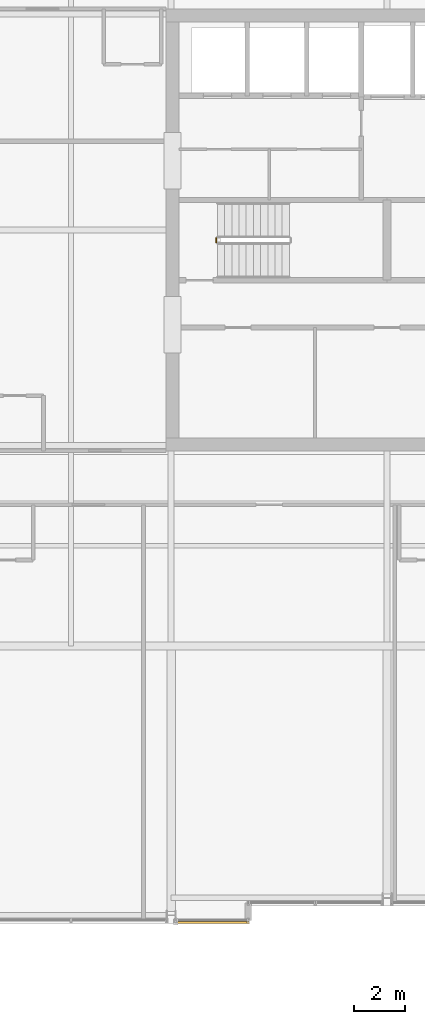
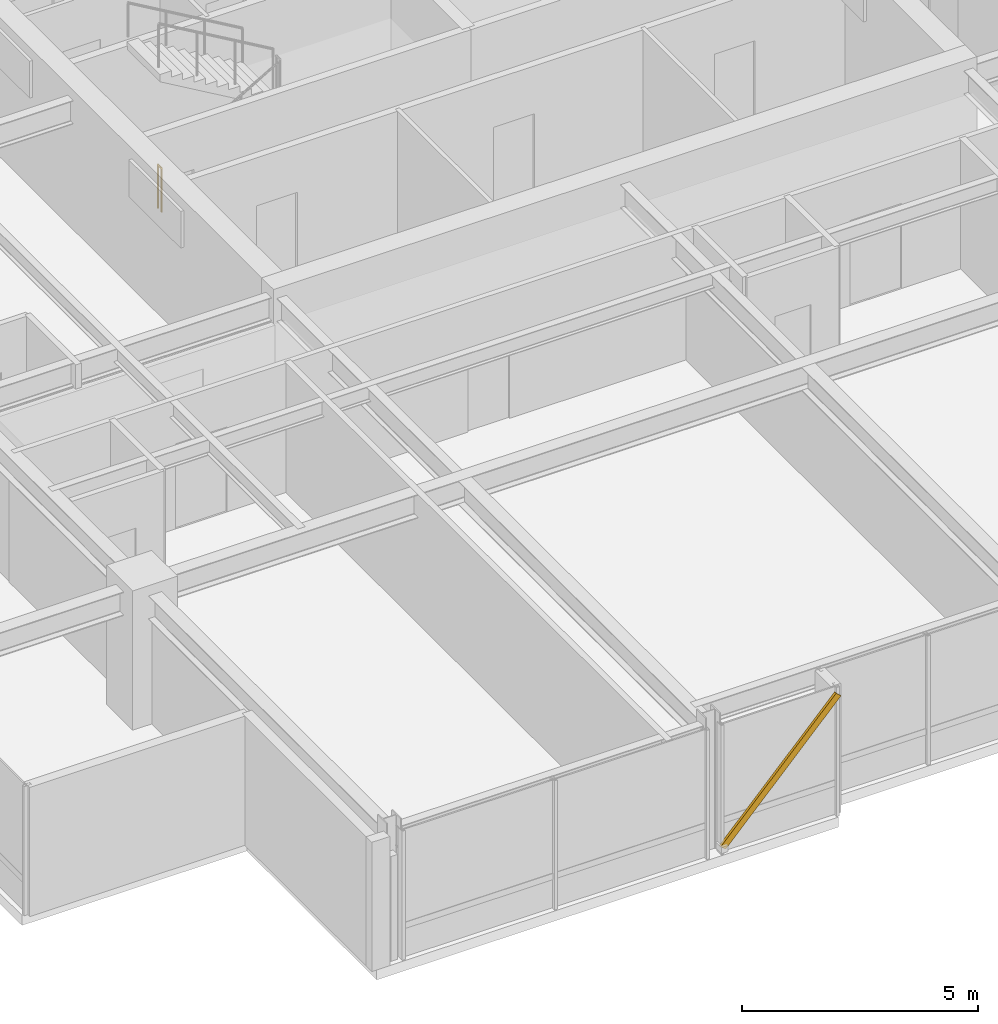
# One storey, part 30 of 32: 1 railing, 1 shading device.
"""IFC4 building model written with IfcOpenShell, lengths in metres."""

from ifc_helpers import new_model, si_unit, direction, frame, origin, origin_2d, place, context, subcontext, project, spatial, hollow_rectangle, circle, extrude, material, material_profile, profile_set, type_object, element, save


model = new_model("IFC4")

# Units and contexts
model_context = context("Model", 3, precision=1e-05, world=origin(), true_north=direction((0.0, 1.0)))
body_context = subcontext(model_context, "Body", "Model", "MODEL_VIEW")
ifc_project = project(units=[si_unit("LENGTHUNIT", "METRE"), si_unit("AREAUNIT", "SQUARE_METRE"), si_unit("VOLUMEUNIT", "CUBIC_METRE"), si_unit("PLANEANGLEUNIT", "RADIAN"), si_unit("MASSUNIT", "GRAM", prefix="KILO")], contexts=[model_context])

# Site, building, storey
site_placement = place(None, origin())
site = spatial("IfcSite", under=ifc_project, at=site_placement, CompositionType="ELEMENT")
building_placement = place(site_placement, origin())
building = spatial("IfcBuilding", under=site, at=building_placement, Name="Drelvath Grand Hotel", CompositionType="ELEMENT")
storey_placement = place(building_placement, frame((0.0, 0.0, 237.5)))
storey = spatial("IfcBuildingStorey", under=building, at=storey_placement, Name="L62", CompositionType="ELEMENT", Elevation=237.5)

# Railing
ifc_material_1 = material(Name="Painted Steel S275", Category="steel")
railing_type = type_object("IfcRailingType", Name="Core Stair Well Guardrail 1100", PredefinedType="GUARDRAIL", material=ifc_material_1)
railing_placement = place(storey_placement, frame((-6.64990234375, 26.52001953125, 0.0)))
element("IfcRailing", 1, at=railing_placement, inside=storey, type_object=railing_type, Name="L62 ST-1 stair guard 4", PredefinedType="GUARDRAIL", context=body_context, shape_type="SweptSolid", body=[
    extrude(circle(Radius=0.02392578125, at=origin_2d()), frame((0.0, 0.0, 1.1259765625), z_axis=(0.0, 1.0, 0.0), x_axis=(-1.0, 0.0, 0.0)), (0.0, 0.0, 1.0), 0.159912109375),
    extrude(circle(Radius=0.02099609375, at=origin_2d()), origin(), (0.0, 0.0, 1.0), 1.101806640625),
    extrude(circle(Radius=0.02099609375, at=origin_2d()), frame((0.0, 0.159912109375, 0.0)), (0.0, 0.0, 1.0), 1.101806640625),
])

# Shading device
ifc_material_2 = material(Name="Platinum-Mist Anodised Aluminium", Category="aluminium")
ifc_material_profile = material_profile(ifc_material_2, hollow_rectangle(XDim=0.06494140625, YDim=0.159912109375, WallThickness=0.00390625, at=origin_2d()), Name="HSS160X65X4")
ifc_profile_set = profile_set([ifc_material_profile], Name="Platinum-Mist Anodised Aluminium")
shading_device_type = type_object("IfcShadingDeviceType", Name="Diagonal Solar Fin Platinum Anodised HSS160X65X4", PredefinedType="USERDEFINED", material=ifc_profile_set)
shading_device_placement = place(storey_placement, frame((-8.2216796875, 0.0400390625, 0.179931640625), z_axis=(0.687569722658, 0.0, 0.726118362586), x_axis=(0.0, 1.0, 0.0)))
element("IfcShadingDevice", 2, at=shading_device_placement, inside=storey, type_object=shading_device_type, Name="L62 Diagonal Anodised Fin CW05-L62-SW3", ObjectType="FIN", PredefinedType="USERDEFINED", context=body_context, shape_type="SweptSolid", body=[
    extrude(hollow_rectangle(XDim=0.06494140625, YDim=0.159912109375, WallThickness=0.00390625, at=origin_2d()), origin(), (0.0, 0.0, 1.0), 4.10400390625),
])

save(model, "model.ifc")
